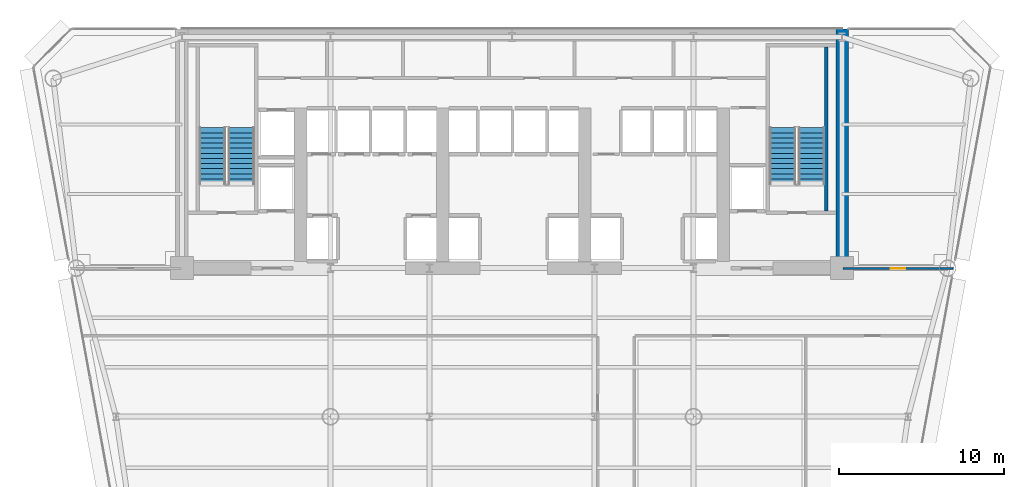
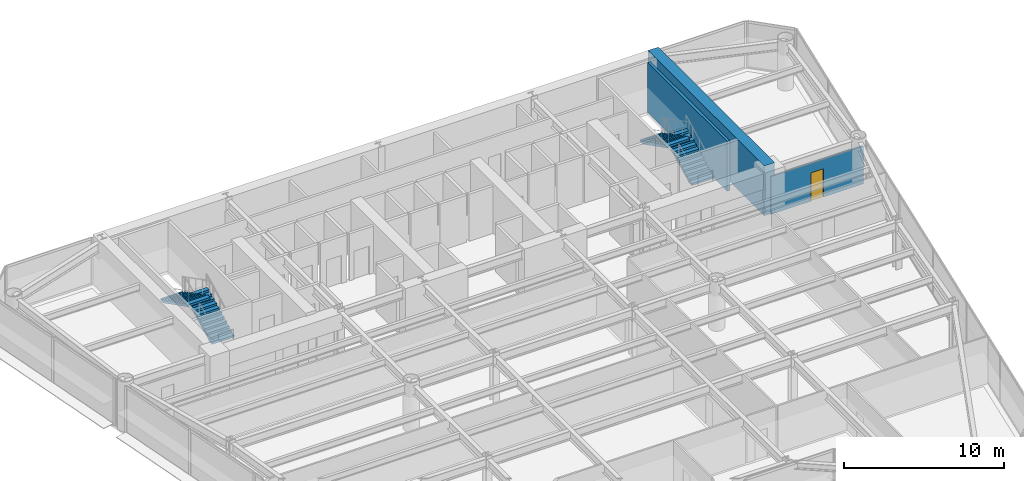
# One storey, part 11 of 15: 4 stair flights, 3 walls, 1 door, 1 opening, 2 elements without a shape of their own.
"""IFC4 building model written with IfcOpenShell, lengths in metres."""

from ifc_helpers import new_model, si_unit, direction, frame, frame_2d, origin, place, context, subcontext, project, spatial, polyline, rectangle, outline, extrude, source, transform, mapped, material, layer, layer_set, type_object, element, fill, aggregate, save


model = new_model("IFC4")

# Units and contexts
model_context = context("Model", 3, precision=1e-05, world=origin(), true_north=direction((0.0, 1.0)))
body_context = subcontext(model_context, "Body", "Model", "MODEL_VIEW")
ifc_project = project(units=[si_unit("LENGTHUNIT", "METRE"), si_unit("AREAUNIT", "SQUARE_METRE"), si_unit("VOLUMEUNIT", "CUBIC_METRE"), si_unit("PLANEANGLEUNIT", "RADIAN"), si_unit("MASSUNIT", "GRAM", prefix="KILO")], contexts=[model_context])

# Site, building, storey
site_placement = place(None, origin())
site = spatial("IfcSite", under=ifc_project, at=site_placement, CompositionType="ELEMENT")
building_placement = place(site_placement, origin())
building = spatial("IfcBuilding", under=site, at=building_placement, Name="Vaeldorn Concourse Tower", CompositionType="ELEMENT")
storey_placement = place(building_placement, frame((0.0, 0.0, 95.800048828125)))
storey = spatial("IfcBuildingStorey", under=building, at=storey_placement, Name="L24", CompositionType="ELEMENT", Elevation=95.800048828125)

# Wall
ifc_material_1 = material(Name="Concrete C60/75", Category="concrete")
ifc_layer_1 = layer(ifc_material_1, 0.75)
ifc_layer_set_1 = layer_set([ifc_layer_1], Name="Concrete C60/75")
wall_type_1 = type_object("IfcWallType", Name="WL-CORE-750", PredefinedType="SHEAR", material=ifc_layer_set_1)
wall_1_placement = place(storey_placement, frame((54.0, 36.5, 0.0), z_axis=(0.0, 0.0, 1.0), x_axis=(0.0, 1.0, 0.0)))
element("IfcWall", 1, at=wall_1_placement, inside=storey, type_object=wall_type_1, Name="Rear Core Shear Wall L24 E1", PredefinedType="SHEAR", context=body_context, shape_type="SweptSolid", body=[
    extrude(rectangle(XDim=14.5, YDim=0.75, at=frame_2d((7.25, 0.0))), origin(), (0.0, 0.0, 1.0), 3.800048828125),
])

# Wall, opening, door
ifc_material_2 = material(Name="Gypsum Board Partition", Category="gypsum")
ifc_layer_2 = layer(ifc_material_2, 0.1201171875)
ifc_layer_set_2 = layer_set([ifc_layer_2], Name="Gypsum Board Partition")
wall_type_2 = type_object("IfcWallType", Name="WL-PART-120", PredefinedType="PARTITIONING", material=ifc_layer_set_2)
wall_2_placement = place(storey_placement, frame((54.06005859375, 36.47998046875, 0.0), z_axis=(0.0, 0.0, 1.0), x_axis=(1.0, 0.0, 0.0)))
wall_2 = element("IfcWall", 2, at=wall_2_placement, inside=storey, type_object=wall_type_2, Name="Interior Wall PW-L24-NES", PredefinedType="PARTITIONING", context=body_context, shape_type="SweptSolid", body=[
    extrude(rectangle(XDim=6.6640625, YDim=0.1201171875, at=frame_2d((3.33203125, 0.0))), origin(), (0.0, 0.0, 1.0), 2.869873046875),
])
opening_placement = place(wall_2_placement, frame((2.882080078125, 0.0, 0.0)))
opening = element("IfcOpeningElement", 3, at=opening_placement, cuts=wall_2, Name="Opening D-03", PredefinedType="OPENING", context=body_context, shape_type="SweptSolid", body=[
    extrude(rectangle(XDim=0.89990234375, YDim=2.14990234375, at=frame_2d((0.449951171875, 1.074951171875))), frame((0.0, 0.070068359375, 0.0), z_axis=(0.0, -1.0, 0.0), x_axis=(1.0, 0.0, 0.0)), (0.0, 0.0, 1.0), 0.14013671875),
])
ifc_material_3 = material(Name="Acoustic Bronze-Framed Glass Door", Category="glass")
door_type = type_object("IfcDoorType", Name="DR-INT-900", OperationType="NOTDEFINED", PredefinedType="DOOR", material=ifc_material_3)
shared_shape = source(origin(), body_context, "Body", "SweptSolid", [
    extrude(rectangle(XDim=0.89990234375, YDim=2.14990234375, at=frame_2d((0.449951171875, 1.074951171875))), frame((0.0, 0.02490234375, 0.0), z_axis=(0.0, -1.0, 0.0), x_axis=(1.0, 0.0, 0.0)), (0.0, 0.0, 1.0), 0.050048828125),
])
door_placement = place(opening_placement, origin())
door = element("IfcDoor", 4, at=door_placement, inside=storey, type_object=door_type, Name="Interior Door DR-L24-NEC", OperationType="SINGLE_SWING_RIGHT", OverallHeight=2.14990234375, OverallWidth=0.89990234375, PredefinedType="DOOR", context=body_context, shape_type="MappedRepresentation", body=[
    mapped(shared_shape, transform((0.0, 0.0, 0.0), scale=1.0)),
])
fill(opening, door)

# Wall
ifc_material_4 = material(Name="Concrete C50/60", Category="concrete")
ifc_layer_3 = layer(ifc_material_4, 0.199951171875)
ifc_layer_set_3 = layer_set([ifc_layer_3], Name="Concrete C50/60")
wall_type_3 = type_object("IfcWallType", Name="WL-SHAFT-200", PredefinedType="SOLIDWALL", material=ifc_layer_set_3)
wall_3_placement = place(storey_placement, frame((53.050048828125, 39.9599609375, 0.0), z_axis=(0.0, 0.0, 1.0), x_axis=(0.0, 1.0, 0.0)))
element("IfcWall", 5, at=wall_3_placement, inside=storey, type_object=wall_type_3, Name="Stair Shaft Wall CW-L24-ST-2-E", PredefinedType="SOLIDWALL", context=body_context, shape_type="SweptSolid", body=[
    extrude(rectangle(XDim=9.929931640625, YDim=0.199951171875, at=frame_2d((4.96484375, 0.0))), origin(), (0.0, 0.0, 1.0), 3.800048828125),
])

# Stair, stair flights
ifc_material_5 = material(Name="Precast concrete C40/50", Category="concrete")
stair_type = type_object("IfcStairType", Name="STR-DOG-24x158", PredefinedType="HALF_TURN_STAIR", material=ifc_material_5)
stair_1_placement = place(storey_placement, origin())
stair_1 = element("IfcStair", 6, at=stair_1_placement, inside=storey, type_object=stair_type, Name="L24 West Core Exit Stair ST-1", PredefinedType="HALF_TURN_STAIR")
stair_flight_type = type_object("IfcStairFlightType", Name="STF-STR-12x158", PredefinedType="STRAIGHT", material=ifc_material_5)
stair_flight_1_placement = place(storey_placement, frame((17.60009765625, 41.60009765625, 0.0), z_axis=(0.0, 0.0, 1.0), x_axis=(0.0, 1.0, 0.0)))
stair_flight_1 = element("IfcStairFlight", 7, at=stair_flight_1_placement, type_object=stair_flight_type, Name="ST-1 flight 1", NumberOfRisers=12, NumberOfTreads=11, PredefinedType="STRAIGHT", RiserHeight=0.158333333, TreadLength=0.31, context=body_context, shape_type="SweptSolid", body=[
    extrude(outline(polyline([(0.0, 0.0), (0.0, 0.158447265625), (0.31005859375, 0.158447265625), (0.31005859375, 0.316650390625), (0.6201171875, 0.316650390625), (0.6201171875, 0.47509765625), (0.929931640625, 0.47509765625), (0.929931640625, 0.63330078125), (1.239990234375, 0.63330078125), (1.239990234375, 0.791748046875), (1.550048828125, 0.791748046875), (1.550048828125, 0.949951171875), (1.860107421875, 0.949951171875), (1.860107421875, 1.1083984375), (2.169921875, 1.1083984375), (2.169921875, 1.2666015625), (2.47998046875, 1.2666015625), (2.47998046875, 1.425048828125), (2.7900390625, 1.425048828125), (2.7900390625, 1.583251953125), (3.10009765625, 1.583251953125), (3.10009765625, 1.74169921875), (3.409912109375, 1.74169921875), (3.409912109375, 1.89990234375), (3.409912109375, 1.5732421875), (0.32958984375, 0.0), (0.0, 0.0)])), frame((0.0, 0.800048828125, 0.0), z_axis=(0.0, -1.0, 0.0), x_axis=(1.0, 0.0, 0.0)), (0.0, 0.0, 1.0), 1.60009765625),
])
stair_flight_2_placement = place(storey_placement, frame((15.85009765625, 45.010009765625, 1.89990234375), z_axis=(0.0, 0.0, 1.0), x_axis=(0.0, -1.0, 0.0)))
stair_flight_2 = element("IfcStairFlight", 8, at=stair_flight_2_placement, type_object=stair_flight_type, Name="ST-1 flight 2", NumberOfRisers=12, NumberOfTreads=11, PredefinedType="STRAIGHT", RiserHeight=0.158333333, TreadLength=0.31, context=body_context, shape_type="SweptSolid", body=[
    extrude(outline(polyline([(0.0, 0.0), (0.0, 0.158447265625), (0.31005859375, 0.158447265625), (0.31005859375, 0.316650390625), (0.6201171875, 0.316650390625), (0.6201171875, 0.47509765625), (0.929931640625, 0.47509765625), (0.929931640625, 0.63330078125), (1.239990234375, 0.63330078125), (1.239990234375, 0.791748046875), (1.550048828125, 0.791748046875), (1.550048828125, 0.949951171875), (1.860107421875, 0.949951171875), (1.860107421875, 1.1083984375), (2.169921875, 1.1083984375), (2.169921875, 1.2666015625), (2.47998046875, 1.2666015625), (2.47998046875, 1.425048828125), (2.7900390625, 1.425048828125), (2.7900390625, 1.583251953125), (3.10009765625, 1.583251953125), (3.10009765625, 1.74169921875), (3.409912109375, 1.74169921875), (3.409912109375, 1.89990234375), (3.409912109375, 1.5732421875), (0.32958984375, 0.0), (0.0, 0.0)])), frame((0.0, 0.800048828125, 0.0), z_axis=(0.0, -1.0, 0.0), x_axis=(1.0, 0.0, 0.0)), (0.0, 0.0, 1.0), 1.60009765625),
])
aggregate(stair_1, [stair_flight_1, stair_flight_2])

stair_2_placement = place(storey_placement, origin())
stair_2 = element("IfcStair", 9, at=stair_2_placement, inside=storey, type_object=stair_type, Name="L24 East Core Exit Stair ST-2", PredefinedType="HALF_TURN_STAIR")
stair_flight_3_placement = place(storey_placement, frame((52.14990234375, 41.60009765625, 0.0), z_axis=(0.0, 0.0, 1.0), x_axis=(0.0, 1.0, 0.0)))
stair_flight_3 = element("IfcStairFlight", 10, at=stair_flight_3_placement, type_object=stair_flight_type, Name="ST-2 flight 1", NumberOfRisers=12, NumberOfTreads=11, PredefinedType="STRAIGHT", RiserHeight=0.158333333, TreadLength=0.31, context=body_context, shape_type="SweptSolid", body=[
    extrude(outline(polyline([(0.0, 0.0), (0.0, 0.158447265625), (0.31005859375, 0.158447265625), (0.31005859375, 0.316650390625), (0.6201171875, 0.316650390625), (0.6201171875, 0.47509765625), (0.929931640625, 0.47509765625), (0.929931640625, 0.63330078125), (1.239990234375, 0.63330078125), (1.239990234375, 0.791748046875), (1.550048828125, 0.791748046875), (1.550048828125, 0.949951171875), (1.860107421875, 0.949951171875), (1.860107421875, 1.1083984375), (2.169921875, 1.1083984375), (2.169921875, 1.2666015625), (2.47998046875, 1.2666015625), (2.47998046875, 1.425048828125), (2.7900390625, 1.425048828125), (2.7900390625, 1.583251953125), (3.10009765625, 1.583251953125), (3.10009765625, 1.74169921875), (3.409912109375, 1.74169921875), (3.409912109375, 1.89990234375), (3.409912109375, 1.5732421875), (0.32958984375, 0.0), (0.0, 0.0)])), frame((0.0, 0.800048828125, 0.0), z_axis=(0.0, -1.0, 0.0), x_axis=(1.0, 0.0, 0.0)), (0.0, 0.0, 1.0), 1.60009765625),
])
stair_flight_4_placement = place(storey_placement, frame((50.39990234375, 45.010009765625, 1.89990234375), z_axis=(0.0, 0.0, 1.0), x_axis=(0.0, -1.0, 0.0)))
stair_flight_4 = element("IfcStairFlight", 11, at=stair_flight_4_placement, type_object=stair_flight_type, Name="ST-2 flight 2", NumberOfRisers=12, NumberOfTreads=11, PredefinedType="STRAIGHT", RiserHeight=0.158333333, TreadLength=0.31, context=body_context, shape_type="SweptSolid", body=[
    extrude(outline(polyline([(0.0, 0.0), (0.0, 0.158447265625), (0.31005859375, 0.158447265625), (0.31005859375, 0.316650390625), (0.6201171875, 0.316650390625), (0.6201171875, 0.47509765625), (0.929931640625, 0.47509765625), (0.929931640625, 0.63330078125), (1.239990234375, 0.63330078125), (1.239990234375, 0.791748046875), (1.550048828125, 0.791748046875), (1.550048828125, 0.949951171875), (1.860107421875, 0.949951171875), (1.860107421875, 1.1083984375), (2.169921875, 1.1083984375), (2.169921875, 1.2666015625), (2.47998046875, 1.2666015625), (2.47998046875, 1.425048828125), (2.7900390625, 1.425048828125), (2.7900390625, 1.583251953125), (3.10009765625, 1.583251953125), (3.10009765625, 1.74169921875), (3.409912109375, 1.74169921875), (3.409912109375, 1.89990234375), (3.409912109375, 1.5732421875), (0.32958984375, 0.0), (0.0, 0.0)])), frame((0.0, 0.800048828125, 0.0), z_axis=(0.0, -1.0, 0.0), x_axis=(1.0, 0.0, 0.0)), (0.0, 0.0, 1.0), 1.60009765625),
])
aggregate(stair_2, [stair_flight_3, stair_flight_4])

save(model, "model.ifc")
